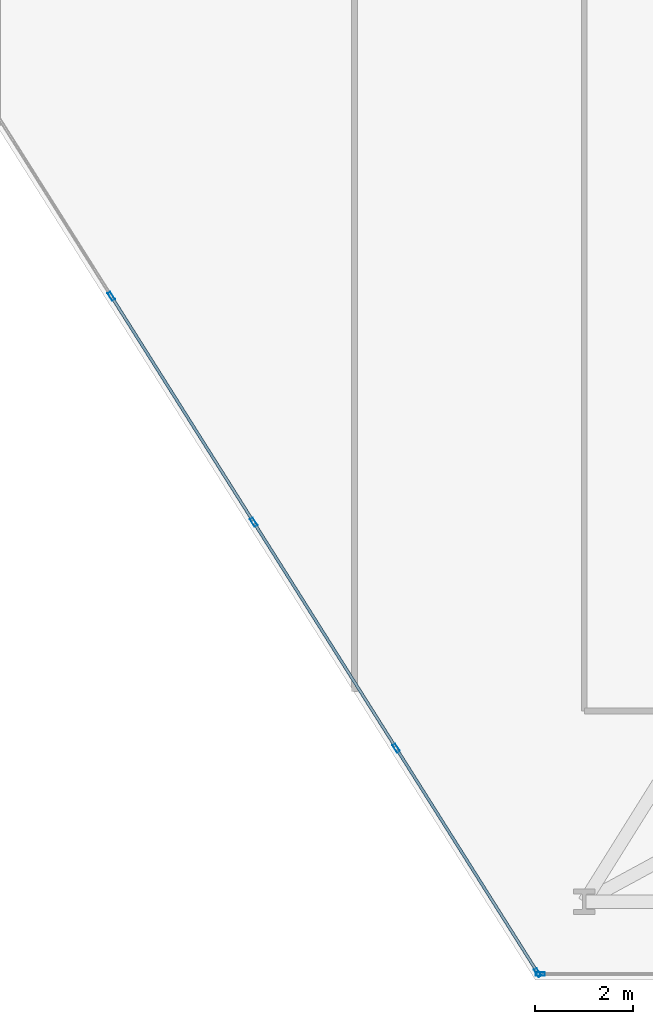
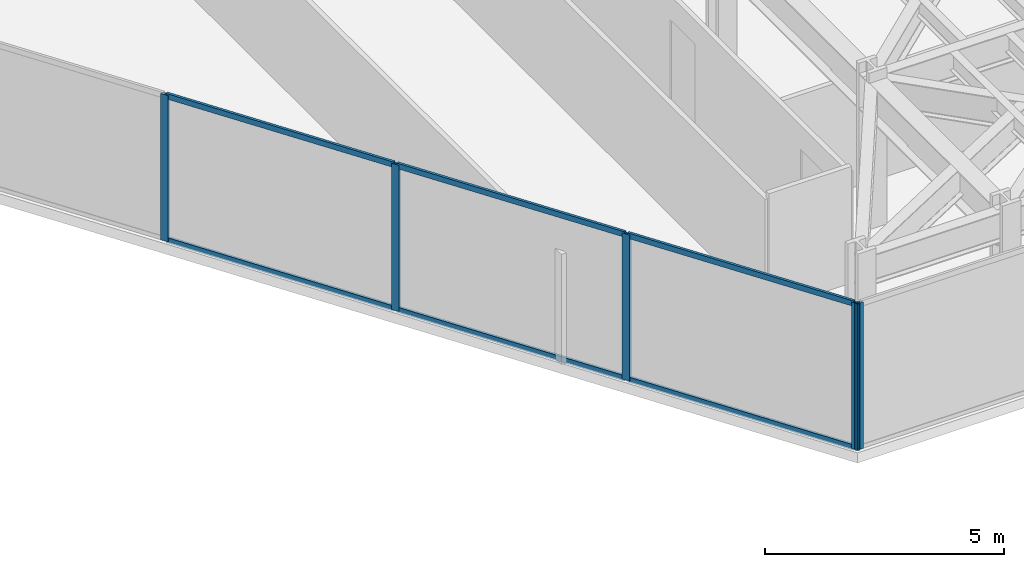
# One storey, part 12 of 25: 11 members, 2 elements without a shape of their own.
"""IFC4 building model written with IfcOpenShell, lengths in metres."""

from ifc_helpers import new_model, si_unit, direction, frame, origin, origin_2d, place, context, subcontext, project, spatial, hollow_rectangle, extrude, material, layer, layer_set, material_profile, profile_set, type_object, element, aggregate, save


model = new_model("IFC4")

# Units and contexts
model_context = context("Model", 3, precision=1e-05, world=origin(), true_north=direction((0.0, 1.0)))
body_context = subcontext(model_context, "Body", "Model", "MODEL_VIEW")
ifc_project = project(units=[si_unit("LENGTHUNIT", "METRE"), si_unit("AREAUNIT", "SQUARE_METRE"), si_unit("VOLUMEUNIT", "CUBIC_METRE"), si_unit("PLANEANGLEUNIT", "RADIAN"), si_unit("MASSUNIT", "GRAM", prefix="KILO")], contexts=[model_context])

# Site, building, storey
site_placement = place(None, origin())
site = spatial("IfcSite", under=ifc_project, at=site_placement, CompositionType="ELEMENT")
building_placement = place(site_placement, origin())
building = spatial("IfcBuilding", under=site, at=building_placement, Name="Kravanh Interchange Tower", CompositionType="ELEMENT")
storey_placement = place(building_placement, frame((0.0, 0.0, 57.5)))
storey = spatial("IfcBuildingStorey", under=building, at=storey_placement, Name="L13", CompositionType="ELEMENT", Elevation=57.5)

# Curtain wall, member
ifc_material_1 = material(Name="Anodised Bronze Aluminium", Category="aluminium")
ifc_layer = layer(ifc_material_1, 0.179931640625)
ifc_layer_set = layer_set([ifc_layer], Name="Unitised Curtain Wall System CW-Z1 Lower Office")
curtain_wall_type = type_object("IfcCurtainWallType", Name="Unitised Curtain Wall System CW-Z1 Lower Office", PredefinedType="NOTDEFINED", material=ifc_layer_set)
curtain_wall_1_placement = place(storey_placement, origin())
curtain_wall_1 = element("IfcCurtainWall", 1, at=curtain_wall_1_placement, inside=storey, type_object=curtain_wall_type, Name="L13 Unitised Curtain Wall CW-L13-03", PredefinedType="NOTDEFINED")
ifc_material_2 = material(Name="Anodised Bronze Aluminium", Category="aluminium")
ifc_material_profile_1 = material_profile(ifc_material_2, hollow_rectangle(XDim=0.070068359375, YDim=0.179931640625, WallThickness=0.00390625, at=origin_2d()), Name="ALU70X180X4")
ifc_profile_set_1 = profile_set([ifc_material_profile_1], Name="Anodised Bronze Aluminium")
member_type_1 = type_object("IfcMemberType", Name="Curtain Wall Mullion ALU70X180X4 Bronze", PredefinedType="MULLION", material=ifc_profile_set_1)
member_1_placement = place(storey_placement, frame((51.601318359375, 1.1201171875, 0.0), z_axis=(0.0, 0.0, 1.0), x_axis=(0.0, -1.0, 0.0)))
member_1 = element("IfcMember", 2, at=member_1_placement, type_object=member_type_1, Name="CW-Z1 mullion 3", PredefinedType="MULLION", context=body_context, shape_type="SweptSolid", body=[
    extrude(hollow_rectangle(XDim=0.070068359375, YDim=0.179931640625, WallThickness=0.00390625, at=origin_2d()), origin(), (0.0, 0.0, 1.0), 3.739990234375),
])
aggregate(curtain_wall_1, [member_1])

# Curtain wall, members
curtain_wall_2_placement = place(storey_placement, origin())
curtain_wall_2 = element("IfcCurtainWall", 3, at=curtain_wall_2_placement, inside=storey, type_object=curtain_wall_type, Name="L13 Unitised Curtain Wall CW-L13-04", PredefinedType="NOTDEFINED")
member_2_placement = place(storey_placement, frame((51.547607421875, 1.149658203125, 0.0), z_axis=(0.0, 0.0, 1.0), x_axis=(-0.845925530786, -0.53330103728, 0.0)))
member_2 = element("IfcMember", 4, at=member_2_placement, type_object=member_type_1, Name="CW-Z1 mullion 1", PredefinedType="MULLION", context=body_context, shape_type="SweptSolid", body=[
    extrude(hollow_rectangle(XDim=0.070068359375, YDim=0.179931640625, WallThickness=0.00390625, at=origin_2d()), origin(), (0.0, 0.0, 1.0), 3.739990234375),
])
member_3_placement = place(storey_placement, frame((48.653076171875, 5.740966796875, 0.0), z_axis=(0.0, 0.0, 1.0), x_axis=(-0.845925530786, -0.53330103728, 0.0)))
member_3 = element("IfcMember", 5, at=member_3_placement, type_object=member_type_1, Name="CW-Z1 mullion 2", PredefinedType="MULLION", context=body_context, shape_type="SweptSolid", body=[
    extrude(hollow_rectangle(XDim=0.070068359375, YDim=0.179931640625, WallThickness=0.00390625, at=origin_2d()), origin(), (0.0, 0.0, 1.0), 3.739990234375),
])
member_4_placement = place(storey_placement, frame((45.73974609375, 10.362060546875, 0.0), z_axis=(0.0, 0.0, 1.0), x_axis=(-0.845925530786, -0.53330103728, 0.0)))
member_4 = element("IfcMember", 6, at=member_4_placement, type_object=member_type_1, Name="CW-Z1 mullion 3", PredefinedType="MULLION", context=body_context, shape_type="SweptSolid", body=[
    extrude(hollow_rectangle(XDim=0.070068359375, YDim=0.179931640625, WallThickness=0.00390625, at=origin_2d()), origin(), (0.0, 0.0, 1.0), 3.739990234375),
])
member_5_placement = place(storey_placement, frame((42.826416015625, 14.98291015625, 0.0), z_axis=(0.0, 0.0, 1.0), x_axis=(-0.845925530786, -0.53330103728, 0.0)))
member_5 = element("IfcMember", 7, at=member_5_placement, type_object=member_type_1, Name="CW-Z1 mullion 4", PredefinedType="MULLION", context=body_context, shape_type="SweptSolid", body=[
    extrude(hollow_rectangle(XDim=0.070068359375, YDim=0.179931640625, WallThickness=0.00390625, at=origin_2d()), origin(), (0.0, 0.0, 1.0), 3.739990234375),
])
ifc_material_3 = material(Name="Anodised Bronze Aluminium", Category="aluminium")
ifc_material_profile_2 = material_profile(ifc_material_3, hollow_rectangle(XDim=0.06005859375, YDim=0.139892578125, WallThickness=0.00390625, at=origin_2d()), Name="ALU60X140X4")
ifc_profile_set_2 = profile_set([ifc_material_profile_2], Name="Anodised Bronze Aluminium")
member_type_2 = type_object("IfcMemberType", Name="Curtain Wall Transom ALU60X140X4 Bronze", PredefinedType="USERDEFINED", material=ifc_profile_set_2)
member_6_placement = place(storey_placement, frame((51.52880859375, 1.17919921875, 0.030029296875), z_axis=(-0.533288163518, 0.845933646719, 0.0), x_axis=(-0.845933646719, -0.533288163518, 0.0)))
member_6 = element("IfcMember", 8, at=member_6_placement, type_object=member_type_2, Name="CW-Z1 transom 1.1", ObjectType="TRANSOM", PredefinedType="USERDEFINED", context=body_context, shape_type="SweptSolid", body=[
    extrude(hollow_rectangle(XDim=0.06005859375, YDim=0.139892578125, WallThickness=0.00390625, at=origin_2d()), origin(), (0.0, 0.0, 1.0), 5.357666015625),
])
member_7_placement = place(storey_placement, frame((51.52880859375, 1.17919921875, 3.7099609375), z_axis=(-0.533288163518, 0.845933646719, 0.0), x_axis=(-0.845933646719, -0.533288163518, 0.0)))
member_7 = element("IfcMember", 9, at=member_7_placement, type_object=member_type_2, Name="CW-Z1 transom 1.2", ObjectType="TRANSOM", PredefinedType="USERDEFINED", context=body_context, shape_type="SweptSolid", body=[
    extrude(hollow_rectangle(XDim=0.06005859375, YDim=0.139892578125, WallThickness=0.00390625, at=origin_2d()), origin(), (0.0, 0.0, 1.0), 5.357666015625),
])
member_8_placement = place(storey_placement, frame((48.63427734375, 5.7705078125, 0.030029296875), z_axis=(-0.533311487456, 0.84591894254, 0.0), x_axis=(-0.84591894254, -0.533311487456, 0.0)))
member_8 = element("IfcMember", 10, at=member_8_placement, type_object=member_type_2, Name="CW-Z1 transom 2.1", ObjectType="TRANSOM", PredefinedType="USERDEFINED", context=body_context, shape_type="SweptSolid", body=[
    extrude(hollow_rectangle(XDim=0.06005859375, YDim=0.139892578125, WallThickness=0.00390625, at=origin_2d()), origin(), (0.0, 0.0, 1.0), 5.392578125),
])
member_9_placement = place(storey_placement, frame((48.63427734375, 5.7705078125, 3.7099609375), z_axis=(-0.533311487456, 0.84591894254, 0.0), x_axis=(-0.84591894254, -0.533311487456, 0.0)))
member_9 = element("IfcMember", 11, at=member_9_placement, type_object=member_type_2, Name="CW-Z1 transom 2.2", ObjectType="TRANSOM", PredefinedType="USERDEFINED", context=body_context, shape_type="SweptSolid", body=[
    extrude(hollow_rectangle(XDim=0.06005859375, YDim=0.139892578125, WallThickness=0.00390625, at=origin_2d()), origin(), (0.0, 0.0, 1.0), 5.392578125),
])
member_10_placement = place(storey_placement, frame((45.720947265625, 10.3916015625, 0.030029296875), z_axis=(-0.533279090152, 0.845939366626, 0.0), x_axis=(-0.845939366626, -0.533279090152, 0.0)))
member_10 = element("IfcMember", 12, at=member_10_placement, type_object=member_type_2, Name="CW-Z1 transom 3.1", ObjectType="TRANSOM", PredefinedType="USERDEFINED", context=body_context, shape_type="SweptSolid", body=[
    extrude(hollow_rectangle(XDim=0.06005859375, YDim=0.139892578125, WallThickness=0.00390625, at=origin_2d()), origin(), (0.0, 0.0, 1.0), 5.392578125),
])
member_11_placement = place(storey_placement, frame((45.720947265625, 10.3916015625, 3.7099609375), z_axis=(-0.533279090152, 0.845939366626, 0.0), x_axis=(-0.845939366626, -0.533279090152, 0.0)))
member_11 = element("IfcMember", 13, at=member_11_placement, type_object=member_type_2, Name="CW-Z1 transom 3.2", ObjectType="TRANSOM", PredefinedType="USERDEFINED", context=body_context, shape_type="SweptSolid", body=[
    extrude(hollow_rectangle(XDim=0.06005859375, YDim=0.139892578125, WallThickness=0.00390625, at=origin_2d()), origin(), (0.0, 0.0, 1.0), 5.392578125),
])
aggregate(curtain_wall_2, [member_2, member_3, member_4, member_5, member_6, member_7, member_8, member_9, member_10, member_11])

save(model, "model.ifc")
